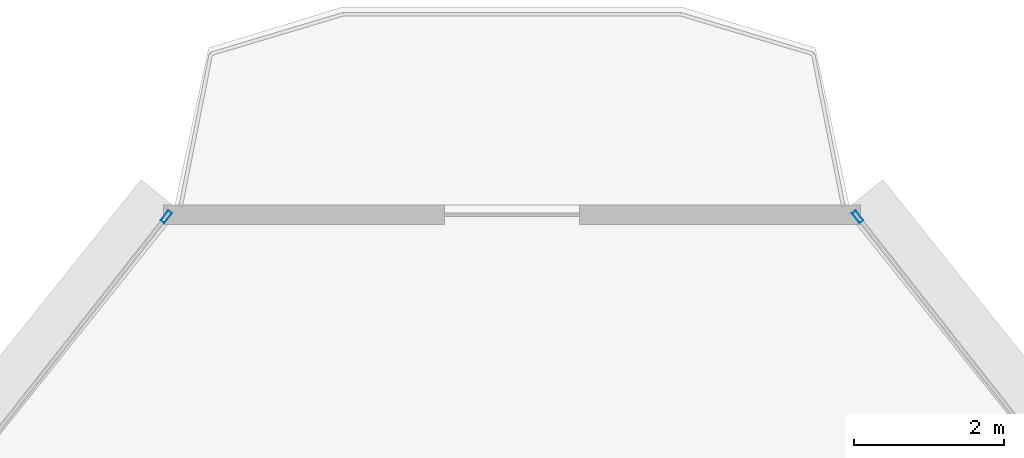
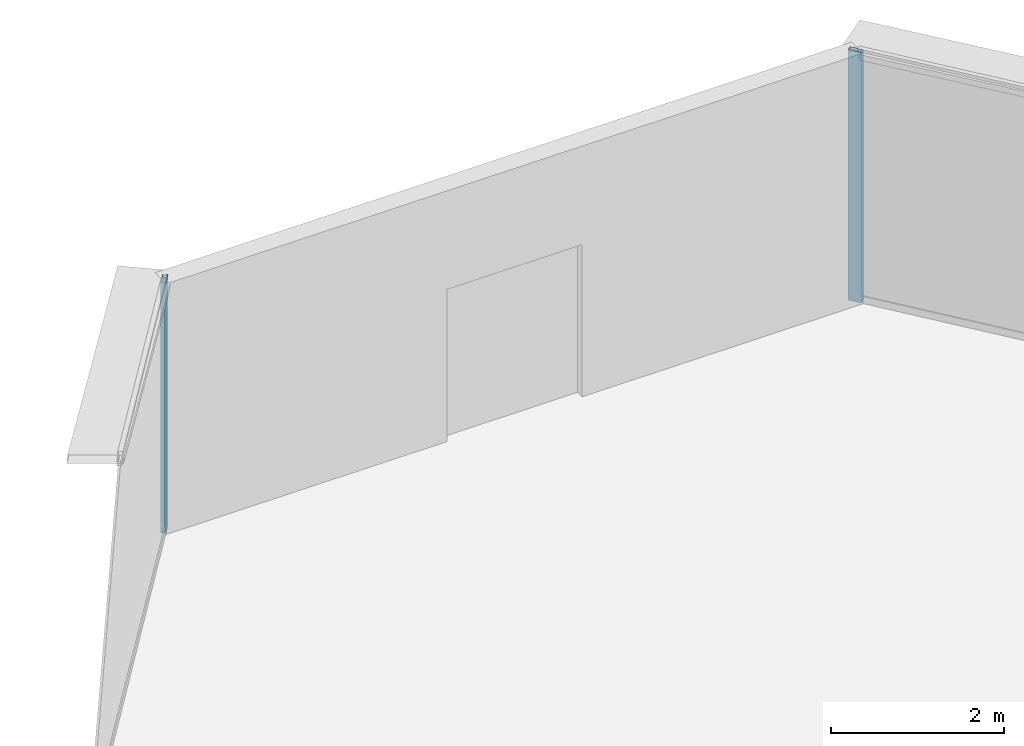
# One storey, part 26 of 37: 2 members, 2 elements without a shape of their own.
"""IFC4 building model written with IfcOpenShell, lengths in metres."""

from ifc_helpers import new_model, si_unit, direction, frame, origin, origin_2d, place, context, subcontext, project, spatial, hollow_rectangle, extrude, source, transform, mapped, material, layer, layer_set, material_profile, profile_set, type_object, element, aggregate, save


model = new_model("IFC4")

# Units and contexts
model_context = context("Model", 3, precision=1e-05, world=origin(), true_north=direction((0.0, 1.0)))
body_context = subcontext(model_context, "Body", "Model", "MODEL_VIEW")
ifc_project = project(units=[si_unit("LENGTHUNIT", "METRE"), si_unit("AREAUNIT", "SQUARE_METRE"), si_unit("VOLUMEUNIT", "CUBIC_METRE"), si_unit("PLANEANGLEUNIT", "RADIAN"), si_unit("MASSUNIT", "GRAM", prefix="KILO"), si_unit("THERMODYNAMICTEMPERATUREUNIT", "KELVIN"), si_unit("POWERUNIT", "WATT")], contexts=[model_context])

# Site, building, storey
site_placement = place(None, origin())
site = spatial("IfcSite", under=ifc_project, at=site_placement, CompositionType="ELEMENT")
building_placement = place(site_placement, origin())
building = spatial("IfcBuilding", under=site, at=building_placement, Name="Yunzhuo Pagoda Commons", CompositionType="ELEMENT")
storey_placement = place(building_placement, frame((0.0, 0.0, 88.780029296875)))
storey = spatial("IfcBuildingStorey", under=building, at=storey_placement, Name="L22", CompositionType="ELEMENT", Elevation=88.780029296875)

# Curtain wall, member
ifc_material = material(Name="Anodized aluminium 6063-T6", Category="aluminium")
ifc_layer = layer(ifc_material, 0.1650390625)
ifc_layer_set = layer_set([ifc_layer], Name="Anodized aluminium 6063-T6")
curtain_wall_type = type_object("IfcCurtainWallType", Name="CW-LOW Low-Zone Ribbon Curtain Wall", PredefinedType="NOTDEFINED", material=ifc_layer_set)
curtain_wall_1_placement = place(storey_placement, origin())
curtain_wall_1 = element("IfcCurtainWall", 1, at=curtain_wall_1_placement, inside=storey, type_object=curtain_wall_type, Name="L22 curtain wall CW-L22-F2B5", PredefinedType="NOTDEFINED")
ifc_material_profile = material_profile(ifc_material, hollow_rectangle(XDim=0.06494140625, YDim=0.1650390625, WallThickness=0.00390625, at=origin_2d()), Name="Anodized aluminium 6063-T6")
ifc_profile_set = profile_set([ifc_material_profile], Name="Anodized aluminium 6063-T6")
member_type = type_object("IfcMemberType", Name="CW-LOW-M Mullion RHS 165x65x4", PredefinedType="MULLION", material=ifc_profile_set)
shared_shape = source(origin(), body_context, "Body", "SweptSolid", [
    extrude(hollow_rectangle(XDim=0.06494140625, YDim=0.1650390625, WallThickness=0.00390625, at=origin_2d()), origin(), (0.0, 0.0, 1.0), 3.5400390625),
])
member_1_placement = place(storey_placement, frame((52.61767578125, 87.29443359375, 0.0), z_axis=(0.0, 0.0, 1.0), x_axis=(-0.786130948635, -0.618059974111, 0.0)))
member_1 = element("IfcMember", 2, at=member_1_placement, type_object=member_type, Name="CW mullion 2", PredefinedType="MULLION", context=body_context, shape_type="MappedRepresentation", body=[
    mapped(shared_shape, transform((0.0, 0.0, 0.0), scale=1.0)),
])
aggregate(curtain_wall_1, [member_1])

curtain_wall_2_placement = place(storey_placement, origin())
curtain_wall_2 = element("IfcCurtainWall", 3, at=curtain_wall_2_placement, inside=storey, type_object=curtain_wall_type, Name="L22 curtain wall CW-L22-F3B1", PredefinedType="NOTDEFINED")
member_2_placement = place(storey_placement, frame((43.38232421875, 87.29443359375, 0.0), z_axis=(0.0, 0.0, 1.0), x_axis=(0.786130948635, -0.618059974111, 0.0)))
member_2 = element("IfcMember", 4, at=member_2_placement, type_object=member_type, Name="CW mullion 1", PredefinedType="MULLION", context=body_context, shape_type="MappedRepresentation", body=[
    mapped(shared_shape, transform((0.0, 0.0, 0.0), scale=1.0)),
])
aggregate(curtain_wall_2, [member_2])

save(model, "model.ifc")
